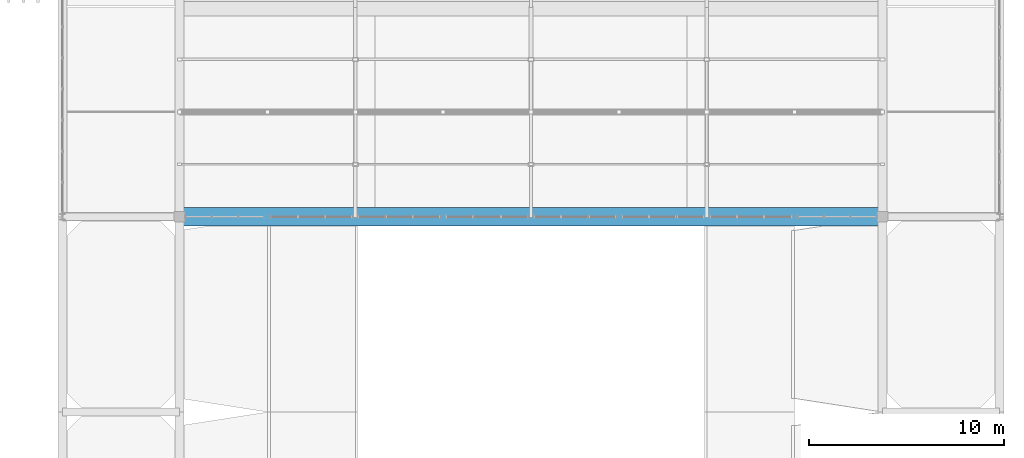
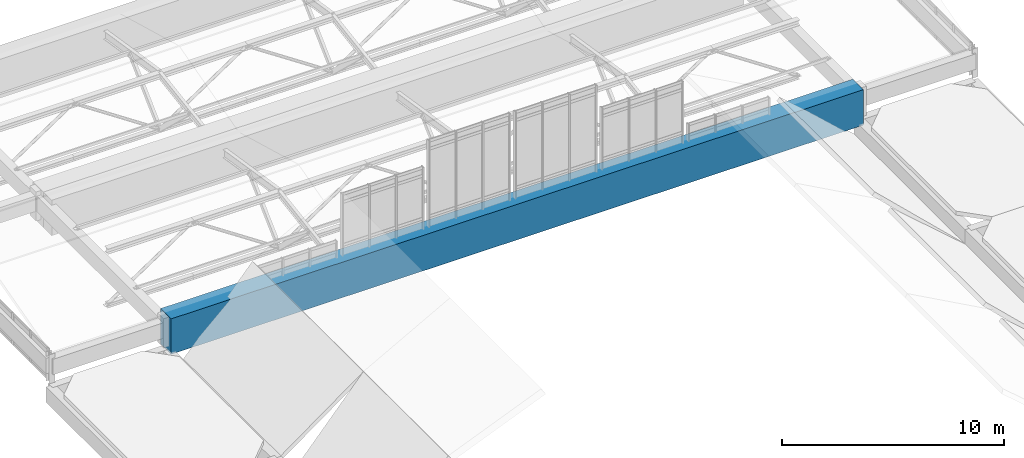
# One storey, part 51 of 82: 1 beam.
"""IFC4 building model written with IfcOpenShell, lengths in metres."""

from ifc_helpers import new_model, si_unit, direction, frame, origin, origin_2d, place, context, subcontext, project, spatial, rectangle, extrude, material, material_profile, profile_set, type_object, element, save


model = new_model("IFC4")

# Units and contexts
model_context = context("Model", 3, precision=1e-05, world=origin(), true_north=direction((0.0, 1.0)))
body_context = subcontext(model_context, "Body", "Model", "MODEL_VIEW")
ifc_project = project(units=[si_unit("LENGTHUNIT", "METRE"), si_unit("AREAUNIT", "SQUARE_METRE"), si_unit("VOLUMEUNIT", "CUBIC_METRE"), si_unit("PLANEANGLEUNIT", "RADIAN"), si_unit("MASSUNIT", "GRAM", prefix="KILO")], contexts=[model_context])

# Site, building, storey
site_placement = place(None, origin())
site = spatial("IfcSite", under=ifc_project, at=site_placement, CompositionType="ELEMENT")
building_placement = place(site_placement, origin())
building = spatial("IfcBuilding", under=site, at=building_placement, Name="Mersad Railyard Sports Hall", CompositionType="ELEMENT")
storey_placement = place(building_placement, frame((0.0, 0.0, 13.199951171875)))
storey = spatial("IfcBuildingStorey", under=building, at=storey_placement, Name="L03", CompositionType="ELEMENT", Elevation=13.199951171875)

# Beam
ifc_material = material(Name="Post-tensioned concrete C50/60", Category="concrete")
ifc_material_profile = material_profile(ifc_material, rectangle(XDim=0.949951171875, YDim=1.949951171875, at=origin_2d()), Name="PT 950x1950")
ifc_profile_set = profile_set([ifc_material_profile], Name="Post-tensioned concrete C50/60")
beam_type = type_object("IfcBeamType", Name="STR-BM-TG03", PredefinedType="USERDEFINED", material=ifc_profile_set)
beam_placement = place(storey_placement, frame((137.0, 73.5, 0.650146484375), z_axis=(1.0, 0.0, 0.0), x_axis=(0.0, 1.0, 0.0)))
element("IfcBeam", 1, at=beam_placement, inside=storey, type_object=beam_type, Name="Transfer girder TG03-0921", ObjectType="GIRDER", PredefinedType="USERDEFINED", context=body_context, shape_type="SweptSolid", body=[
    extrude(rectangle(XDim=0.949951171875, YDim=1.949951171875, at=origin_2d()), origin(), (0.0, 0.0, 1.0), 36.0),
])

save(model, "model.ifc")
